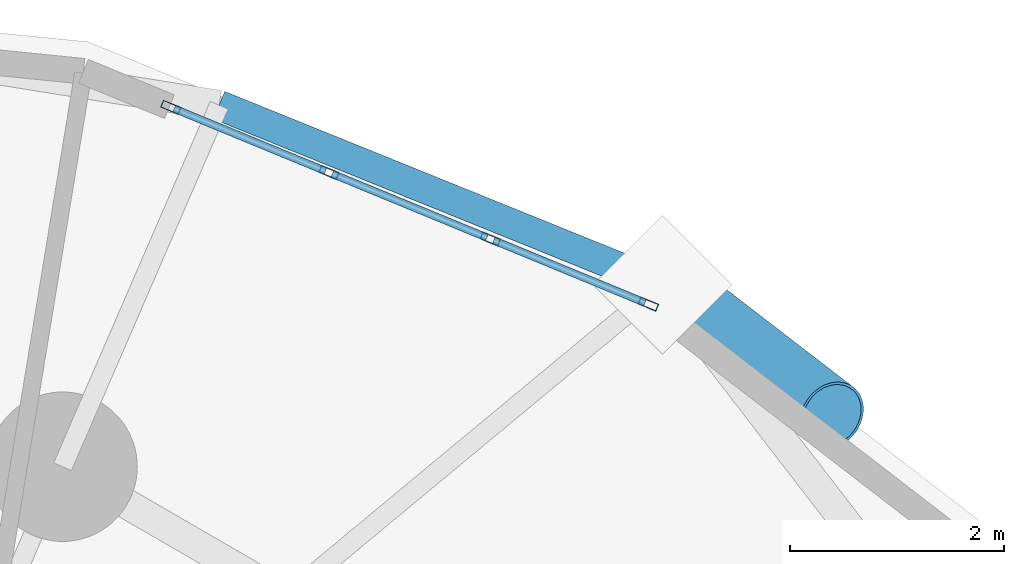
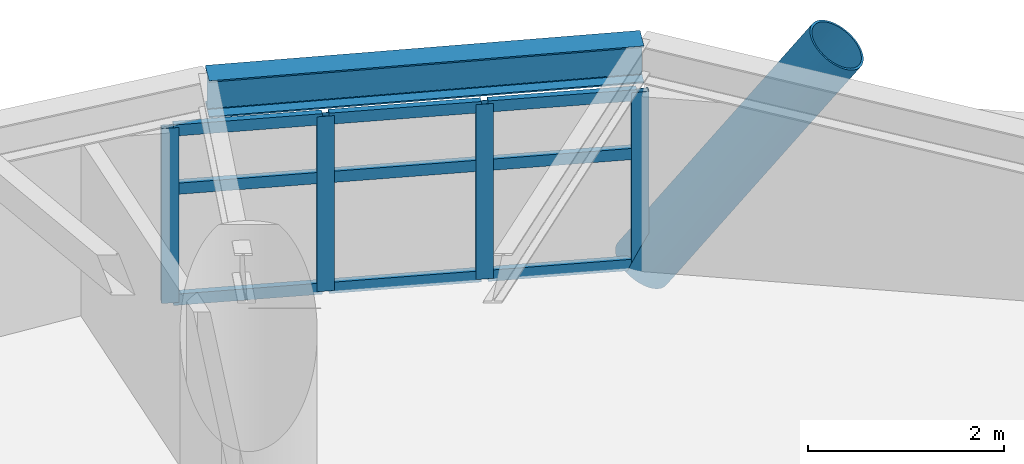
# One storey, part 7 of 18: 14 members, 1 beam, 1 element without a shape of its own.
"""IFC4 building model written with IfcOpenShell, lengths in metres."""

from ifc_helpers import new_model, si_unit, direction, frame, origin, origin_2d, place, context, subcontext, project, spatial, hollow_rectangle, hollow_circle, i_section, extrude, material, layer, layer_set, material_profile, profile_set, type_object, element, aggregate, save


model = new_model("IFC4")

# Units and contexts
model_context = context("Model", 3, precision=1e-05, world=origin(), true_north=direction((0.0, 1.0)))
body_context = subcontext(model_context, "Body", "Model", "MODEL_VIEW")
ifc_project = project(units=[si_unit("LENGTHUNIT", "METRE"), si_unit("AREAUNIT", "SQUARE_METRE"), si_unit("VOLUMEUNIT", "CUBIC_METRE"), si_unit("PLANEANGLEUNIT", "RADIAN"), si_unit("MASSUNIT", "GRAM", prefix="KILO")], contexts=[model_context])

# Site, building, storey
site_placement = place(None, origin())
site = spatial("IfcSite", under=ifc_project, at=site_placement, CompositionType="ELEMENT")
building_placement = place(site_placement, origin())
building = spatial("IfcBuilding", under=site, at=building_placement, Name="Cununo Teusaquillo Station Towers", CompositionType="ELEMENT")
storey_placement = place(building_placement, frame((0.0, 0.0, 119.6201171875)))
storey = spatial("IfcBuildingStorey", under=building, at=storey_placement, Name="L38", CompositionType="ELEMENT", Elevation=119.6201171875)

# Beam
ifc_material_1 = material(Name="Steel ASTM A572 Grade 50", Category="steel")
ifc_material_profile_1 = material_profile(ifc_material_1, i_section(OverallWidth=0.280029296875, OverallDepth=0.462890625, WebThickness=0.0107421875, FlangeThickness=0.017333984375, FilletRadius=0.013916015625, at=origin_2d()), Name="W18X76")
ifc_profile_set_1 = profile_set([ifc_material_profile_1], Name="Steel ASTM A572 Grade 50")
beam_type = type_object("IfcBeamType", Name="BM-RING-Z2", PredefinedType="SPANDREL", material=ifc_profile_set_1)
beam_placement = place(storey_placement, frame((63.9111328125, 39.341064453125, 2.4384765625), z_axis=(-0.927007712072, 0.375042266631, 0.0), x_axis=(-0.375042266631, -0.927007712072, 0.0)))
element("IfcBeam", 1, at=beam_placement, inside=storey, type_object=beam_type, Name="L38 Tower B Spandrel Ring Beam 02", PredefinedType="SPANDREL", context=body_context, shape_type="SweptSolid", body=[
    extrude(i_section(OverallWidth=0.280029296875, OverallDepth=0.462890625, WebThickness=0.0107421875, FlangeThickness=0.017333984375, FilletRadius=0.013916015625, at=origin_2d()), origin(), (0.0, 0.0, 1.0), 4.480712890625),
])

# Curtain wall, members
ifc_material_2 = material(Name="Ceramic-fritted dark low-E double glazing", Category="glass")
ifc_layer = layer(ifc_material_2, 0.179931640625)
ifc_layer_set = layer_set([ifc_layer], Name="Ceramic-fritted dark low-E double glazing")
curtain_wall_type = type_object("IfcCurtainWallType", Name="CW-SYS-04", PredefinedType="USERDEFINED", material=ifc_layer_set)
curtain_wall_placement = place(storey_placement, origin())
curtain_wall = element("IfcCurtainWall", 2, at=curtain_wall_placement, inside=storey, type_object=curtain_wall_type, Name="L38 Tower B Facade Curtain Wall C01", ObjectType="FRITTED GLAZING", PredefinedType="USERDEFINED")
ifc_material_3 = material(Name="Anodised dark bronze aluminium EN AW-6063-T6", Category="aluminium")
ifc_material_profile_2 = material_profile(ifc_material_3, hollow_rectangle(XDim=0.070068359375, YDim=0.179931640625, WallThickness=0.00390625, at=origin_2d()), Name="CW-MULL-70x180")
ifc_profile_set_2 = profile_set([ifc_material_profile_2], Name="Anodised dark bronze aluminium EN AW-6063-T6")
member_type_1 = type_object("IfcMemberType", Name="CWM-180", PredefinedType="MULLION", material=ifc_profile_set_2)
member_1_placement = place(storey_placement, frame((59.3056640625, 41.001953125, 0.0), z_axis=(0.0, 0.0, 1.0), x_axis=(0.381030560176, 0.924562443652, 0.0)))
member_1 = element("IfcMember", 3, at=member_1_placement, type_object=member_type_1, Name="CW-04 mullion 1", PredefinedType="MULLION", context=body_context, shape_type="SweptSolid", body=[
    extrude(hollow_rectangle(XDim=0.070068359375, YDim=0.179931640625, WallThickness=0.00390625, at=origin_2d()), origin(), (0.0, 0.0, 1.0), 2.178955078125),
])
member_2_placement = place(storey_placement, frame((60.785888671875, 40.39208984375, 0.0), z_axis=(0.0, 0.0, 1.0), x_axis=(0.381030560176, 0.924562443652, 0.0)))
member_2 = element("IfcMember", 4, at=member_2_placement, type_object=member_type_1, Name="CW-04 mullion 2", PredefinedType="MULLION", context=body_context, shape_type="SweptSolid", body=[
    extrude(hollow_rectangle(XDim=0.070068359375, YDim=0.179931640625, WallThickness=0.00390625, at=origin_2d()), origin(), (0.0, 0.0, 1.0), 2.178955078125),
])
member_3_placement = place(storey_placement, frame((62.298583984375, 39.7685546875, 0.0), z_axis=(0.0, 0.0, 1.0), x_axis=(0.381030560176, 0.924562443652, 0.0)))
member_3 = element("IfcMember", 5, at=member_3_placement, type_object=member_type_1, Name="CW-04 mullion 3", PredefinedType="MULLION", context=body_context, shape_type="SweptSolid", body=[
    extrude(hollow_rectangle(XDim=0.070068359375, YDim=0.179931640625, WallThickness=0.00390625, at=origin_2d()), origin(), (0.0, 0.0, 1.0), 2.178955078125),
])
member_4_placement = place(storey_placement, frame((63.77880859375, 39.158447265625, 0.0), z_axis=(0.0, 0.0, 1.0), x_axis=(0.381030560176, 0.924562443652, 0.0)))
member_4 = element("IfcMember", 6, at=member_4_placement, type_object=member_type_1, Name="CW-04 mullion 4", PredefinedType="MULLION", context=body_context, shape_type="SweptSolid", body=[
    extrude(hollow_rectangle(XDim=0.070068359375, YDim=0.179931640625, WallThickness=0.00390625, at=origin_2d()), origin(), (0.0, 0.0, 1.0), 2.178955078125),
])
ifc_material_4 = material(Name="Anodised dark bronze aluminium EN AW-6063-T6", Category="aluminium")
ifc_material_profile_3 = material_profile(ifc_material_4, hollow_rectangle(XDim=0.070068359375, YDim=0.139892578125, WallThickness=0.00390625, at=origin_2d()), Name="CW-TRAN-70x140")
ifc_profile_set_3 = profile_set([ifc_material_profile_3], Name="Anodised dark bronze aluminium EN AW-6063-T6")
member_type_2 = type_object("IfcMemberType", Name="CWT-140", PredefinedType="USERDEFINED", material=ifc_profile_set_3)
member_5_placement = place(storey_placement, frame((59.337890625, 40.98876953125, 0.034912109375), z_axis=(0.924532726965, -0.381102659097, 0.0), x_axis=(0.381102659097, 0.924532726965, 0.0)))
member_5 = element("IfcMember", 7, at=member_5_placement, type_object=member_type_2, Name="CW-04 transom 1.1", ObjectType="TRANSOM", PredefinedType="USERDEFINED", context=body_context, shape_type="SweptSolid", body=[
    extrude(hollow_rectangle(XDim=0.070068359375, YDim=0.139892578125, WallThickness=0.00390625, at=origin_2d()), origin(), (0.0, 0.0, 1.0), 1.531005859375),
])
member_6_placement = place(storey_placement, frame((59.337890625, 40.98876953125, 1.415771484375), z_axis=(0.924532726965, -0.381102659097, 0.0), x_axis=(0.381102659097, 0.924532726965, 0.0)))
member_6 = element("IfcMember", 8, at=member_6_placement, type_object=member_type_2, Name="CW-04 transom 1.2", ObjectType="TRANSOM", PredefinedType="USERDEFINED", context=body_context, shape_type="SweptSolid", body=[
    extrude(hollow_rectangle(XDim=0.070068359375, YDim=0.139892578125, WallThickness=0.00390625, at=origin_2d()), origin(), (0.0, 0.0, 1.0), 1.531005859375),
])
member_7_placement = place(storey_placement, frame((59.337890625, 40.98876953125, 2.143798828125), z_axis=(0.924532726965, -0.381102659097, 0.0), x_axis=(0.381102659097, 0.924532726965, 0.0)))
member_7 = element("IfcMember", 9, at=member_7_placement, type_object=member_type_2, Name="CW-04 transom 1.3", ObjectType="TRANSOM", PredefinedType="USERDEFINED", context=body_context, shape_type="SweptSolid", body=[
    extrude(hollow_rectangle(XDim=0.070068359375, YDim=0.139892578125, WallThickness=0.00390625, at=origin_2d()), origin(), (0.0, 0.0, 1.0), 1.531005859375),
])
member_8_placement = place(storey_placement, frame((60.818115234375, 40.378662109375, 0.034912109375), z_axis=(0.924577983912, -0.380992849887, 0.0), x_axis=(0.380992849887, 0.924577983912, 0.0)))
member_8 = element("IfcMember", 10, at=member_8_placement, type_object=member_type_2, Name="CW-04 transom 2.1", ObjectType="TRANSOM", PredefinedType="USERDEFINED", context=body_context, shape_type="SweptSolid", body=[
    extrude(hollow_rectangle(XDim=0.070068359375, YDim=0.139892578125, WallThickness=0.00390625, at=origin_2d()), origin(), (0.0, 0.0, 1.0), 1.566162109375),
])
member_9_placement = place(storey_placement, frame((60.818115234375, 40.378662109375, 1.415771484375), z_axis=(0.924577983912, -0.380992849887, 0.0), x_axis=(0.380992849887, 0.924577983912, 0.0)))
member_9 = element("IfcMember", 11, at=member_9_placement, type_object=member_type_2, Name="CW-04 transom 2.2", ObjectType="TRANSOM", PredefinedType="USERDEFINED", context=body_context, shape_type="SweptSolid", body=[
    extrude(hollow_rectangle(XDim=0.070068359375, YDim=0.139892578125, WallThickness=0.00390625, at=origin_2d()), origin(), (0.0, 0.0, 1.0), 1.566162109375),
])
member_10_placement = place(storey_placement, frame((60.818115234375, 40.378662109375, 2.143798828125), z_axis=(0.924577983912, -0.380992849887, 0.0), x_axis=(0.380992849887, 0.924577983912, 0.0)))
member_10 = element("IfcMember", 12, at=member_10_placement, type_object=member_type_2, Name="CW-04 transom 2.3", ObjectType="TRANSOM", PredefinedType="USERDEFINED", context=body_context, shape_type="SweptSolid", body=[
    extrude(hollow_rectangle(XDim=0.070068359375, YDim=0.139892578125, WallThickness=0.00390625, at=origin_2d()), origin(), (0.0, 0.0, 1.0), 1.566162109375),
])
member_11_placement = place(storey_placement, frame((62.330810546875, 39.75537109375, 0.034912109375), z_axis=(0.924555881283, -0.381046483233, 0.0), x_axis=(0.381046483233, 0.924555881283, 0.0)))
member_11 = element("IfcMember", 13, at=member_11_placement, type_object=member_type_2, Name="CW-04 transom 3.1", ObjectType="TRANSOM", PredefinedType="USERDEFINED", context=body_context, shape_type="SweptSolid", body=[
    extrude(hollow_rectangle(XDim=0.070068359375, YDim=0.139892578125, WallThickness=0.00390625, at=origin_2d()), origin(), (0.0, 0.0, 1.0), 1.53125),
])
member_12_placement = place(storey_placement, frame((62.330810546875, 39.75537109375, 1.415771484375), z_axis=(0.924555881283, -0.381046483233, 0.0), x_axis=(0.381046483233, 0.924555881283, 0.0)))
member_12 = element("IfcMember", 14, at=member_12_placement, type_object=member_type_2, Name="CW-04 transom 3.2", ObjectType="TRANSOM", PredefinedType="USERDEFINED", context=body_context, shape_type="SweptSolid", body=[
    extrude(hollow_rectangle(XDim=0.070068359375, YDim=0.139892578125, WallThickness=0.00390625, at=origin_2d()), origin(), (0.0, 0.0, 1.0), 1.53125),
])
member_13_placement = place(storey_placement, frame((62.330810546875, 39.75537109375, 2.143798828125), z_axis=(0.924555881283, -0.381046483233, 0.0), x_axis=(0.381046483233, 0.924555881283, 0.0)))
member_13 = element("IfcMember", 15, at=member_13_placement, type_object=member_type_2, Name="CW-04 transom 3.3", ObjectType="TRANSOM", PredefinedType="USERDEFINED", context=body_context, shape_type="SweptSolid", body=[
    extrude(hollow_rectangle(XDim=0.070068359375, YDim=0.139892578125, WallThickness=0.00390625, at=origin_2d()), origin(), (0.0, 0.0, 1.0), 1.53125),
])
aggregate(curtain_wall, [member_1, member_2, member_3, member_4, member_5, member_6, member_7, member_8, member_9, member_10, member_11, member_12, member_13])

# Member
ifc_material_5 = material(Name="Steel EN 10025-2 S355J2", Category="steel")
ifc_material_profile_4 = material_profile(ifc_material_5, hollow_circle(Radius=0.330078125, WallThickness=0.02490234375, at=origin_2d()), Name="CHS 660x25")
ifc_profile_set_4 = profile_set([ifc_material_profile_4], Name="Steel EN 10025-2 S355J2")
member_type_3 = type_object("IfcMemberType", Name="MBR-DIAG-Z2", PredefinedType="BRACE", material=ifc_profile_set_4)
member_14_placement = place(storey_placement, frame((63.9111328125, 39.341064453125, -0.14013671875), z_axis=(0.449247835466, -0.346074936166, 0.823655583898), x_axis=(0.610264182076, 0.792197972779, 0.0)))
element("IfcMember", 16, at=member_14_placement, inside=storey, type_object=member_type_3, Name="L38 Tower B Folded-Zigzag Diagrid Tube C00", PredefinedType="BRACE", context=body_context, shape_type="SweptSolid", body=[
    extrude(hollow_circle(Radius=0.330078125, WallThickness=0.02490234375, at=origin_2d()), origin(), (0.0, 0.0, 1.0), 3.532958984375),
])

save(model, "model.ifc")
